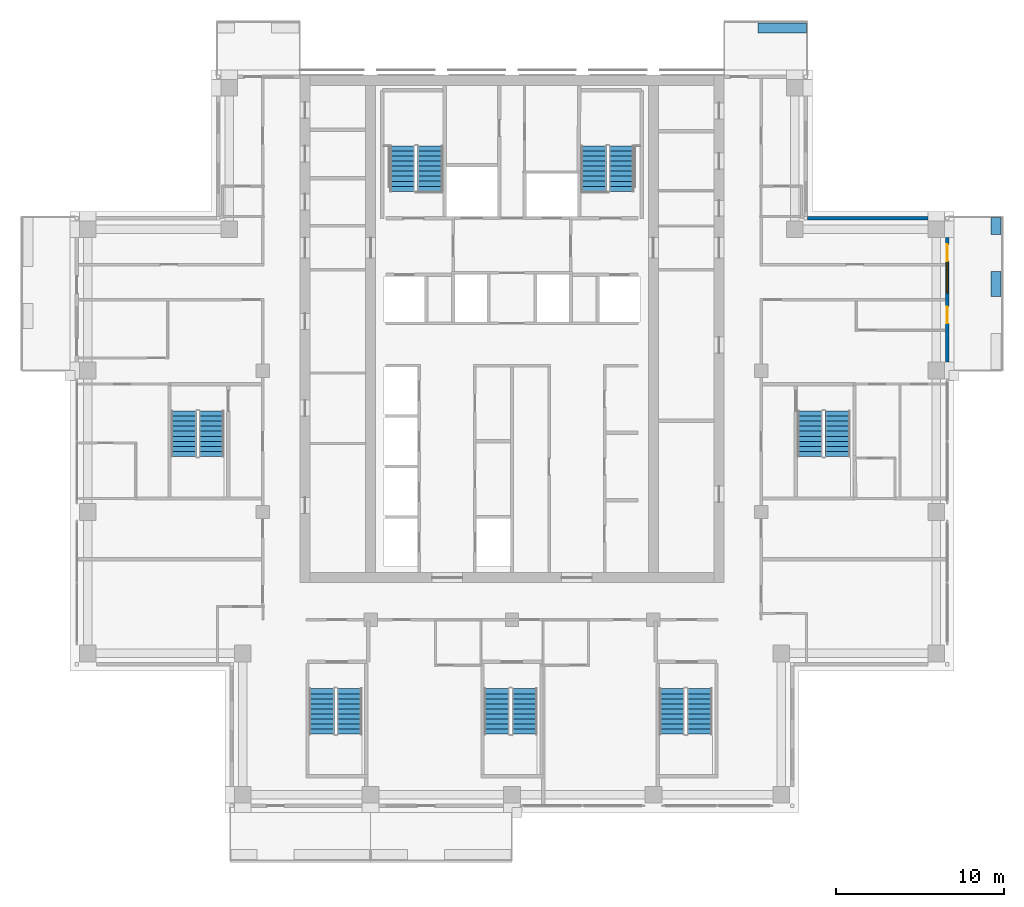
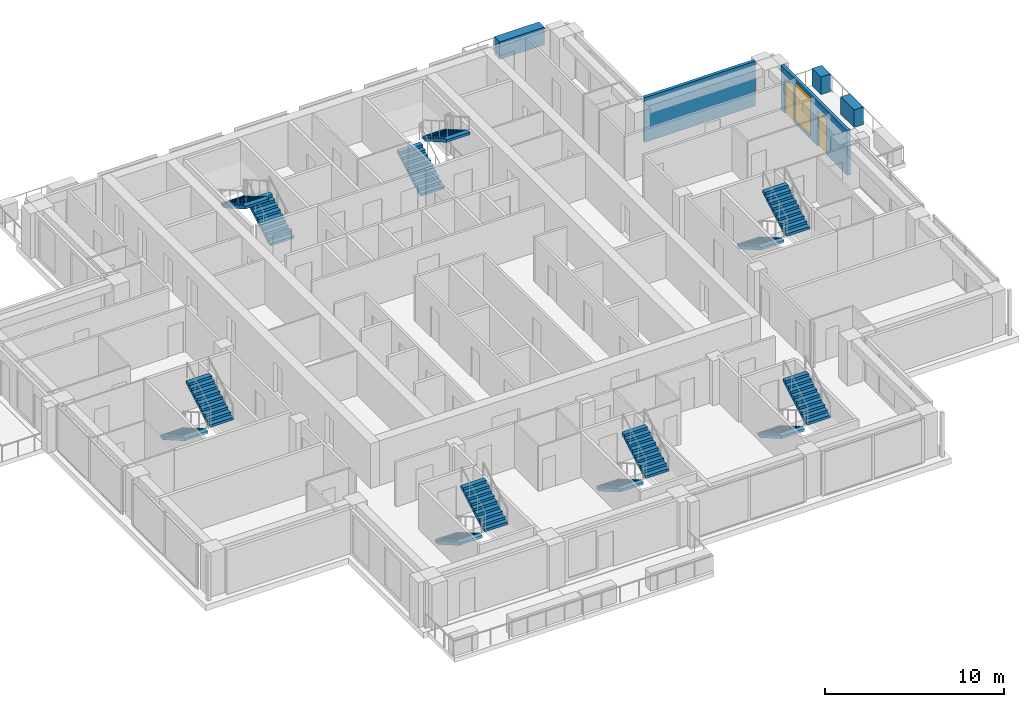
# One storey, part 12 of 15: 14 stair flights, 5 walls, 2 doors, 1 window, 3 openings, 7 elements without a shape of their own.
"""IFC4 building model written with IfcOpenShell, lengths in metres."""

from ifc_helpers import new_model, si_unit, direction, frame, frame_2d, origin, place, context, subcontext, project, spatial, polyline, rectangle, outline, extrude, material, layer, layer_set, type_object, element, fill, aggregate, save


model = new_model("IFC4")

# Units and contexts
model_context = context("Model", 3, precision=1e-05, world=origin(), true_north=direction((0.0, 1.0)))
body_context = subcontext(model_context, "Body", "Model", "MODEL_VIEW")
ifc_project = project(units=[si_unit("LENGTHUNIT", "METRE"), si_unit("AREAUNIT", "SQUARE_METRE"), si_unit("VOLUMEUNIT", "CUBIC_METRE"), si_unit("PLANEANGLEUNIT", "RADIAN"), si_unit("MASSUNIT", "GRAM", prefix="KILO")], contexts=[model_context])

# Site, building, storey
site_placement = place(None, origin())
site = spatial("IfcSite", under=ifc_project, at=site_placement, CompositionType="ELEMENT")
building_placement = place(site_placement, origin())
building = spatial("IfcBuilding", under=site, at=building_placement, Name="Vermilion Ogive Tower", CompositionType="ELEMENT")
storey_placement = place(building_placement, frame((0.0, 0.0, 210.050048828125)))
storey = spatial("IfcBuildingStorey", under=building, at=storey_placement, Name="L55", CompositionType="ELEMENT", Elevation=210.050048828125)

# Walls
ifc_material_1 = material(Name="Concrete B40", Category="concrete")
ifc_layer_1 = layer(ifc_material_1, 0.60009765625)
ifc_layer_set_1 = layer_set([ifc_layer_1], Name="Structural planter")
wall_type_1 = type_object("IfcWallType", Name="Structural planter", PredefinedType="USERDEFINED", material=ifc_layer_set_1)
wall_1_placement = place(storey_placement, frame((28.75, 8.60009765625, -0.0400390625), z_axis=(0.0, 0.0, 1.0), x_axis=(0.0, 1.0, 0.0)))
element("IfcWall", 1, at=wall_1_placement, inside=storey, type_object=wall_type_1, Name="Planter E03A2", ObjectType="PLANTER", PredefinedType="USERDEFINED", context=body_context, shape_type="SweptSolid", body=[
    extrude(rectangle(XDim=1.5, YDim=0.60009765625, at=frame_2d((0.75, 0.0))), origin(), (0.0, 0.0, 1.0), 1.199951171875),
])
wall_2_placement = place(storey_placement, frame((28.75, 12.300048828125, -0.0400390625), z_axis=(0.0, 0.0, 1.0), x_axis=(0.0, 1.0, 0.0)))
element("IfcWall", 2, at=wall_2_placement, inside=storey, type_object=wall_type_1, Name="Planter E03A3", ObjectType="PLANTER", PredefinedType="USERDEFINED", context=body_context, shape_type="SweptSolid", body=[
    extrude(rectangle(XDim=0.989990234375, YDim=0.60009765625, at=frame_2d((0.4951171875, 0.0))), origin(), (0.0, 0.0, 1.0), 1.199951171875),
])
wall_3_placement = place(storey_placement, frame((17.489990234375, 24.550048828125, -0.0400390625), z_axis=(0.0, 0.0, 1.0), x_axis=(-1.0, 0.0, 0.0)))
element("IfcWall", 3, at=wall_3_placement, inside=storey, type_object=wall_type_1, Name="Planter N101A1", ObjectType="PLANTER", PredefinedType="USERDEFINED", context=body_context, shape_type="SweptSolid", body=[
    extrude(rectangle(XDim=2.889892578125, YDim=0.60009765625, at=frame_2d((1.44482421875, 0.0))), origin(), (0.0, 0.0, 1.0), 1.199951171875),
])

# Wall, openings, doors, window
ifc_material_2 = material(Name="Aluminium window wall framing", Category="aluminium")
ifc_layer_2 = layer(ifc_material_2, 0.199951171875)
ifc_layer_set_2 = layer_set([ifc_layer_2], Name="Window wall")
wall_type_2 = type_object("IfcWallType", Name="Window wall", PredefinedType="STANDARD", material=ifc_layer_set_2)
wall_4_placement = place(storey_placement, frame((25.85009765625, 4.699951171875, 0.0), z_axis=(0.0, 0.0, 1.0), x_axis=(0.0, 1.0, 0.0)))
wall_4 = element("IfcWall", 4, at=wall_4_placement, inside=storey, type_object=wall_type_2, Name="Window wall E3", PredefinedType="STANDARD", context=body_context, shape_type="SweptSolid", body=[
    extrude(rectangle(XDim=7.400146484375, YDim=0.199951171875, at=frame_2d((3.7001953125, 0.0))), origin(), (0.0, 0.0, 1.0), 3.050048828125),
])
opening_1_placement = place(wall_4_placement, frame((2.300048828125, 0.0, 0.0)))
opening_1 = element("IfcOpeningElement", 5, at=opening_1_placement, cuts=wall_4, Name="Opening D1-E01", PredefinedType="OPENING", context=body_context, shape_type="SweptSolid", body=[
    extrude(rectangle(XDim=1.0, YDim=2.39990234375, at=frame_2d((0.5, 1.199951171875))), frame((0.0, 0.10986328125, 0.0), z_axis=(0.0, -1.0, 0.0), x_axis=(1.0, 0.0, 0.0)), (0.0, 0.0, 1.0), 0.219970703125),
])
opening_2_placement = place(wall_4_placement, frame((4.10009765625, 0.0, 0.199951171875)))
opening_2 = element("IfcOpeningElement", 6, at=opening_2_placement, cuts=wall_4, Name="Opening W1-E02", PredefinedType="OPENING", context=body_context, shape_type="SweptSolid", body=[
    extrude(rectangle(XDim=1.800048828125, YDim=2.64990234375, at=frame_2d((0.89990234375, 1.324951171875))), frame((0.0, 0.10986328125, 0.0), z_axis=(0.0, -1.0, 0.0), x_axis=(1.0, 0.0, 0.0)), (0.0, 0.0, 1.0), 0.219970703125),
])
opening_3_placement = place(wall_4_placement, frame((6.0, 0.0, 0.0)))
opening_3 = element("IfcOpeningElement", 7, at=opening_3_placement, cuts=wall_4, Name="Opening D1-E02", PredefinedType="OPENING", context=body_context, shape_type="SweptSolid", body=[
    extrude(rectangle(XDim=1.0, YDim=2.39990234375, at=frame_2d((0.5, 1.199951171875))), frame((0.0, 0.10986328125, 0.0), z_axis=(0.0, -1.0, 0.0), x_axis=(1.0, 0.0, 0.0)), (0.0, 0.0, 1.0), 0.219970703125),
])
ifc_material_3 = material(Name="Aluminium framed glazed door", Category="aluminium")
door_type = type_object("IfcDoorType", Name="Balcony door D1", OperationType="SINGLE_SWING_LEFT", PredefinedType="DOOR", material=ifc_material_3)
door_1_placement = place(opening_1_placement, origin())
door_1 = element("IfcDoor", 8, at=door_1_placement, inside=storey, type_object=door_type, Name="Balcony door E01", OperationType="SINGLE_SWING_LEFT", OverallHeight=2.39990234375, OverallWidth=1.0, PredefinedType="DOOR", context=body_context, shape_type="SweptSolid", body=[
    extrude(rectangle(XDim=1.0, YDim=2.39990234375, at=frame_2d((0.5, 1.199951171875))), frame((0.0, 0.02490234375, 0.0), z_axis=(0.0, -1.0, 0.0), x_axis=(1.0, 0.0, 0.0)), (0.0, 0.0, 1.0), 0.050048828125),
])
fill(opening_1, door_1)
door_2_placement = place(opening_3_placement, origin())
door_2 = element("IfcDoor", 9, at=door_2_placement, inside=storey, type_object=door_type, Name="Balcony door E02", OperationType="SINGLE_SWING_LEFT", OverallHeight=2.39990234375, OverallWidth=1.0, PredefinedType="DOOR", context=body_context, shape_type="SweptSolid", body=[
    extrude(rectangle(XDim=1.0, YDim=2.39990234375, at=frame_2d((0.5, 1.199951171875))), frame((0.0, 0.02490234375, 0.0), z_axis=(0.0, -1.0, 0.0), x_axis=(1.0, 0.0, 0.0)), (0.0, 0.0, 1.0), 0.050048828125),
])
fill(opening_3, door_2)
ifc_material_4 = material(Name="Aluminium framed double glazing", Category="aluminium")
window_type = type_object("IfcWindowType", Name="Guest window W1", PartitioningType="SINGLE_PANEL", PredefinedType="WINDOW", material=ifc_material_4)
window_placement = place(opening_2_placement, origin())
window = element("IfcWindow", 10, at=window_placement, inside=storey, type_object=window_type, Name="Window E02", OverallHeight=2.64990234375, OverallWidth=1.800048828125, PartitioningType="SINGLE_PANEL", PredefinedType="WINDOW", context=body_context, shape_type="SweptSolid", body=[
    extrude(rectangle(XDim=1.800048828125, YDim=2.64990234375, at=frame_2d((0.89990234375, 1.324951171875))), frame((0.0, 0.030029296875, 0.0), z_axis=(0.0, -1.0, 0.0), x_axis=(1.0, 0.0, 0.0)), (0.0, 0.0, 1.0), 0.06005859375),
])
fill(opening_2, window)

# Wall
wall_5_placement = place(storey_placement, frame((24.699951171875, 13.25, 0.0), z_axis=(0.0, 0.0, 1.0), x_axis=(-1.0, 0.0, 0.0)))
element("IfcWall", 11, at=wall_5_placement, inside=storey, type_object=wall_type_2, Name="Window wall X31", PredefinedType="STANDARD", context=body_context, shape_type="SweptSolid", body=[
    extrude(rectangle(XDim=7.14990234375, YDim=0.199951171875, at=frame_2d((3.574951171875, 0.0))), origin(), (0.0, 0.0, 1.0), 3.050048828125),
])

# Stair, stair flights
ifc_material_5 = material(Name="Concrete B40", Category="concrete")
stair_type = type_object("IfcStairType", Name="Exit stair 1500", PredefinedType="HALF_TURN_STAIR", material=ifc_material_5)
stair_1_placement = place(storey_placement, origin())
stair_1 = element("IfcStair", 12, at=stair_1_placement, inside=storey, type_object=stair_type, Name="L55 Exit Stair ST1", PredefinedType="HALF_TURN_STAIR")
ifc_material_6 = material(Name="Concrete B40", Category="concrete")
stair_flight_type = type_object("IfcStairFlightType", Name="Stair flight 1500", PredefinedType="STRAIGHT", material=ifc_material_6)
stair_flight_1_placement = place(storey_placement, frame((-4.85009765625, 14.85009765625, 0.0), z_axis=(0.0, 0.0, 1.0), x_axis=(0.0, 1.0, 0.0)))
stair_flight_1 = element("IfcStairFlight", 13, at=stair_flight_1_placement, type_object=stair_flight_type, Name="ST1 flight 1", NumberOfRisers=10, NumberOfTreads=9, PredefinedType="STRAIGHT", RiserHeight=0.1725, TreadLength=0.3, context=body_context, shape_type="SweptSolid", body=[
    extrude(outline(polyline([(0.0, 0.0), (0.0, 0.172607421875), (0.300048828125, 0.172607421875), (0.300048828125, 0.344970703125), (0.60009765625, 0.344970703125), (0.60009765625, 0.517578125), (0.89990234375, 0.517578125), (0.89990234375, 0.68994140625), (1.199951171875, 0.68994140625), (1.199951171875, 0.862548828125), (1.5, 0.862548828125), (1.5, 1.034912109375), (1.800048828125, 1.034912109375), (1.800048828125, 1.20751953125), (2.10009765625, 1.20751953125), (2.10009765625, 1.3798828125), (2.39990234375, 1.3798828125), (2.39990234375, 1.552490234375), (2.699951171875, 1.552490234375), (2.699951171875, 1.72509765625), (2.699951171875, 1.379638671875), (0.30078125, 0.0), (0.0, 0.0)])), frame((0.0, 0.75, 0.0), z_axis=(0.0, -1.0, 0.0), x_axis=(1.0, 0.0, 0.0)), (0.0, 0.0, 1.0), 1.5),
])
stair_flight_2_placement = place(storey_placement, frame((-6.5, 17.550048828125, 1.724853515625), z_axis=(0.0, 0.0, 1.0), x_axis=(0.0, -1.0, 0.0)))
stair_flight_2 = element("IfcStairFlight", 14, at=stair_flight_2_placement, type_object=stair_flight_type, Name="ST1 flight 2", NumberOfRisers=10, NumberOfTreads=9, PredefinedType="STRAIGHT", RiserHeight=0.1725, TreadLength=0.3, context=body_context, shape_type="SweptSolid", body=[
    extrude(outline(polyline([(0.0, 0.0), (0.0, 0.172607421875), (0.300048828125, 0.172607421875), (0.300048828125, 0.344970703125), (0.60009765625, 0.344970703125), (0.60009765625, 0.517578125), (0.89990234375, 0.517578125), (0.89990234375, 0.68994140625), (1.199951171875, 0.68994140625), (1.199951171875, 0.862548828125), (1.5, 0.862548828125), (1.5, 1.034912109375), (1.800048828125, 1.034912109375), (1.800048828125, 1.20751953125), (2.10009765625, 1.20751953125), (2.10009765625, 1.3798828125), (2.39990234375, 1.3798828125), (2.39990234375, 1.552490234375), (2.699951171875, 1.552490234375), (2.699951171875, 1.72509765625), (2.699951171875, 1.379638671875), (0.30078125, 0.0), (0.0, 0.0)])), frame((0.0, 0.75, 0.0), z_axis=(0.0, -1.0, 0.0), x_axis=(1.0, 0.0, 0.0)), (0.0, 0.0, 1.0), 1.5),
])
aggregate(stair_1, [stair_flight_1, stair_flight_2])

stair_2_placement = place(storey_placement, origin())
stair_2 = element("IfcStair", 15, at=stair_2_placement, inside=storey, type_object=stair_type, Name="L55 Exit Stair ST2", PredefinedType="HALF_TURN_STAIR")
stair_flight_3_placement = place(storey_placement, frame((4.85009765625, 14.85009765625, 0.0), z_axis=(0.0, 0.0, 1.0), x_axis=(0.0, 1.0, 0.0)))
stair_flight_3 = element("IfcStairFlight", 16, at=stair_flight_3_placement, type_object=stair_flight_type, Name="ST2 flight 1", NumberOfRisers=10, NumberOfTreads=9, PredefinedType="STRAIGHT", RiserHeight=0.1725, TreadLength=0.3, context=body_context, shape_type="SweptSolid", body=[
    extrude(outline(polyline([(0.0, 0.0), (0.0, 0.172607421875), (0.300048828125, 0.172607421875), (0.300048828125, 0.344970703125), (0.60009765625, 0.344970703125), (0.60009765625, 0.517578125), (0.89990234375, 0.517578125), (0.89990234375, 0.68994140625), (1.199951171875, 0.68994140625), (1.199951171875, 0.862548828125), (1.5, 0.862548828125), (1.5, 1.034912109375), (1.800048828125, 1.034912109375), (1.800048828125, 1.20751953125), (2.10009765625, 1.20751953125), (2.10009765625, 1.3798828125), (2.39990234375, 1.3798828125), (2.39990234375, 1.552490234375), (2.699951171875, 1.552490234375), (2.699951171875, 1.72509765625), (2.699951171875, 1.379638671875), (0.30078125, 0.0), (0.0, 0.0)])), frame((0.0, 0.75, 0.0), z_axis=(0.0, -1.0, 0.0), x_axis=(1.0, 0.0, 0.0)), (0.0, 0.0, 1.0), 1.5),
])
stair_flight_4_placement = place(storey_placement, frame((6.5, 17.550048828125, 1.724853515625), z_axis=(0.0, 0.0, 1.0), x_axis=(0.0, -1.0, 0.0)))
stair_flight_4 = element("IfcStairFlight", 17, at=stair_flight_4_placement, type_object=stair_flight_type, Name="ST2 flight 2", NumberOfRisers=10, NumberOfTreads=9, PredefinedType="STRAIGHT", RiserHeight=0.1725, TreadLength=0.3, context=body_context, shape_type="SweptSolid", body=[
    extrude(outline(polyline([(0.0, 0.0), (0.0, 0.172607421875), (0.300048828125, 0.172607421875), (0.300048828125, 0.344970703125), (0.60009765625, 0.344970703125), (0.60009765625, 0.517578125), (0.89990234375, 0.517578125), (0.89990234375, 0.68994140625), (1.199951171875, 0.68994140625), (1.199951171875, 0.862548828125), (1.5, 0.862548828125), (1.5, 1.034912109375), (1.800048828125, 1.034912109375), (1.800048828125, 1.20751953125), (2.10009765625, 1.20751953125), (2.10009765625, 1.3798828125), (2.39990234375, 1.3798828125), (2.39990234375, 1.552490234375), (2.699951171875, 1.552490234375), (2.699951171875, 1.72509765625), (2.699951171875, 1.379638671875), (0.30078125, 0.0), (0.0, 0.0)])), frame((0.0, 0.75, 0.0), z_axis=(0.0, -1.0, 0.0), x_axis=(1.0, 0.0, 0.0)), (0.0, 0.0, 1.0), 1.5),
])
aggregate(stair_2, [stair_flight_3, stair_flight_4])

stair_3_placement = place(storey_placement, origin())
stair_3 = element("IfcStair", 18, at=stair_3_placement, inside=storey, type_object=stair_type, Name="L55 Exit Stair ST3", PredefinedType="HALF_TURN_STAIR")
stair_flight_5_placement = place(storey_placement, frame((-11.300048828125, -14.699951171875, 0.0), z_axis=(0.0, 0.0, 1.0), x_axis=(0.0, -1.0, 0.0)))
stair_flight_5 = element("IfcStairFlight", 19, at=stair_flight_5_placement, type_object=stair_flight_type, Name="ST3 flight 1", NumberOfRisers=10, NumberOfTreads=9, PredefinedType="STRAIGHT", RiserHeight=0.1725, TreadLength=0.3, context=body_context, shape_type="SweptSolid", body=[
    extrude(outline(polyline([(0.0, 0.0), (0.0, 0.172607421875), (0.300048828125, 0.172607421875), (0.300048828125, 0.344970703125), (0.60009765625, 0.344970703125), (0.60009765625, 0.517578125), (0.89990234375, 0.517578125), (0.89990234375, 0.68994140625), (1.199951171875, 0.68994140625), (1.199951171875, 0.862548828125), (1.5, 0.862548828125), (1.5, 1.034912109375), (1.800048828125, 1.034912109375), (1.800048828125, 1.20751953125), (2.10009765625, 1.20751953125), (2.10009765625, 1.3798828125), (2.39990234375, 1.3798828125), (2.39990234375, 1.552490234375), (2.699951171875, 1.552490234375), (2.699951171875, 1.72509765625), (2.699951171875, 1.379638671875), (0.30078125, 0.0), (0.0, 0.0)])), frame((0.0, 0.75, 0.0), z_axis=(0.0, -1.0, 0.0), x_axis=(1.0, 0.0, 0.0)), (0.0, 0.0, 1.0), 1.5),
])
stair_flight_6_placement = place(storey_placement, frame((-9.64990234375, -17.39990234375, 1.724853515625), z_axis=(0.0, 0.0, 1.0), x_axis=(0.0, 1.0, 0.0)))
stair_flight_6 = element("IfcStairFlight", 20, at=stair_flight_6_placement, type_object=stair_flight_type, Name="ST3 flight 2", NumberOfRisers=10, NumberOfTreads=9, PredefinedType="STRAIGHT", RiserHeight=0.1725, TreadLength=0.3, context=body_context, shape_type="SweptSolid", body=[
    extrude(outline(polyline([(0.0, 0.0), (0.0, 0.172607421875), (0.300048828125, 0.172607421875), (0.300048828125, 0.344970703125), (0.60009765625, 0.344970703125), (0.60009765625, 0.517578125), (0.89990234375, 0.517578125), (0.89990234375, 0.68994140625), (1.199951171875, 0.68994140625), (1.199951171875, 0.862548828125), (1.5, 0.862548828125), (1.5, 1.034912109375), (1.800048828125, 1.034912109375), (1.800048828125, 1.20751953125), (2.10009765625, 1.20751953125), (2.10009765625, 1.3798828125), (2.39990234375, 1.3798828125), (2.39990234375, 1.552490234375), (2.699951171875, 1.552490234375), (2.699951171875, 1.72509765625), (2.699951171875, 1.379638671875), (0.30078125, 0.0), (0.0, 0.0)])), frame((0.0, 0.75, 0.0), z_axis=(0.0, -1.0, 0.0), x_axis=(1.0, 0.0, 0.0)), (0.0, 0.0, 1.0), 1.5),
])
aggregate(stair_3, [stair_flight_5, stair_flight_6])

stair_4_placement = place(storey_placement, origin())
stair_4 = element("IfcStair", 21, at=stair_4_placement, inside=storey, type_object=stair_type, Name="L55 Exit Stair ST4", PredefinedType="HALF_TURN_STAIR")
stair_flight_7_placement = place(storey_placement, frame((-0.89990234375, -14.699951171875, 0.0), z_axis=(0.0, 0.0, 1.0), x_axis=(0.0, -1.0, 0.0)))
stair_flight_7 = element("IfcStairFlight", 22, at=stair_flight_7_placement, type_object=stair_flight_type, Name="ST4 flight 1", NumberOfRisers=10, NumberOfTreads=9, PredefinedType="STRAIGHT", RiserHeight=0.1725, TreadLength=0.3, context=body_context, shape_type="SweptSolid", body=[
    extrude(outline(polyline([(0.0, 0.0), (0.0, 0.172607421875), (0.300048828125, 0.172607421875), (0.300048828125, 0.344970703125), (0.60009765625, 0.344970703125), (0.60009765625, 0.517578125), (0.89990234375, 0.517578125), (0.89990234375, 0.68994140625), (1.199951171875, 0.68994140625), (1.199951171875, 0.862548828125), (1.5, 0.862548828125), (1.5, 1.034912109375), (1.800048828125, 1.034912109375), (1.800048828125, 1.20751953125), (2.10009765625, 1.20751953125), (2.10009765625, 1.3798828125), (2.39990234375, 1.3798828125), (2.39990234375, 1.552490234375), (2.699951171875, 1.552490234375), (2.699951171875, 1.72509765625), (2.699951171875, 1.379638671875), (0.30078125, 0.0), (0.0, 0.0)])), frame((0.0, 0.75, 0.0), z_axis=(0.0, -1.0, 0.0), x_axis=(1.0, 0.0, 0.0)), (0.0, 0.0, 1.0), 1.5),
])
stair_flight_8_placement = place(storey_placement, frame((0.75, -17.39990234375, 1.724853515625), z_axis=(0.0, 0.0, 1.0), x_axis=(0.0, 1.0, 0.0)))
stair_flight_8 = element("IfcStairFlight", 23, at=stair_flight_8_placement, type_object=stair_flight_type, Name="ST4 flight 2", NumberOfRisers=10, NumberOfTreads=9, PredefinedType="STRAIGHT", RiserHeight=0.1725, TreadLength=0.3, context=body_context, shape_type="SweptSolid", body=[
    extrude(outline(polyline([(0.0, 0.0), (0.0, 0.172607421875), (0.300048828125, 0.172607421875), (0.300048828125, 0.344970703125), (0.60009765625, 0.344970703125), (0.60009765625, 0.517578125), (0.89990234375, 0.517578125), (0.89990234375, 0.68994140625), (1.199951171875, 0.68994140625), (1.199951171875, 0.862548828125), (1.5, 0.862548828125), (1.5, 1.034912109375), (1.800048828125, 1.034912109375), (1.800048828125, 1.20751953125), (2.10009765625, 1.20751953125), (2.10009765625, 1.3798828125), (2.39990234375, 1.3798828125), (2.39990234375, 1.552490234375), (2.699951171875, 1.552490234375), (2.699951171875, 1.72509765625), (2.699951171875, 1.379638671875), (0.30078125, 0.0), (0.0, 0.0)])), frame((0.0, 0.75, 0.0), z_axis=(0.0, -1.0, 0.0), x_axis=(1.0, 0.0, 0.0)), (0.0, 0.0, 1.0), 1.5),
])
aggregate(stair_4, [stair_flight_7, stair_flight_8])

stair_5_placement = place(storey_placement, origin())
stair_5 = element("IfcStair", 24, at=stair_5_placement, inside=storey, type_object=stair_type, Name="L55 Exit Stair ST5", PredefinedType="HALF_TURN_STAIR")
stair_flight_9_placement = place(storey_placement, frame((9.5, -14.699951171875, 0.0), z_axis=(0.0, 0.0, 1.0), x_axis=(0.0, -1.0, 0.0)))
stair_flight_9 = element("IfcStairFlight", 25, at=stair_flight_9_placement, type_object=stair_flight_type, Name="ST5 flight 1", NumberOfRisers=10, NumberOfTreads=9, PredefinedType="STRAIGHT", RiserHeight=0.1725, TreadLength=0.3, context=body_context, shape_type="SweptSolid", body=[
    extrude(outline(polyline([(0.0, 0.0), (0.0, 0.172607421875), (0.300048828125, 0.172607421875), (0.300048828125, 0.344970703125), (0.60009765625, 0.344970703125), (0.60009765625, 0.517578125), (0.89990234375, 0.517578125), (0.89990234375, 0.68994140625), (1.199951171875, 0.68994140625), (1.199951171875, 0.862548828125), (1.5, 0.862548828125), (1.5, 1.034912109375), (1.800048828125, 1.034912109375), (1.800048828125, 1.20751953125), (2.10009765625, 1.20751953125), (2.10009765625, 1.3798828125), (2.39990234375, 1.3798828125), (2.39990234375, 1.552490234375), (2.699951171875, 1.552490234375), (2.699951171875, 1.72509765625), (2.699951171875, 1.379638671875), (0.30078125, 0.0), (0.0, 0.0)])), frame((0.0, 0.75, 0.0), z_axis=(0.0, -1.0, 0.0), x_axis=(1.0, 0.0, 0.0)), (0.0, 0.0, 1.0), 1.5),
])
stair_flight_10_placement = place(storey_placement, frame((11.14990234375, -17.39990234375, 1.724853515625), z_axis=(0.0, 0.0, 1.0), x_axis=(0.0, 1.0, 0.0)))
stair_flight_10 = element("IfcStairFlight", 26, at=stair_flight_10_placement, type_object=stair_flight_type, Name="ST5 flight 2", NumberOfRisers=10, NumberOfTreads=9, PredefinedType="STRAIGHT", RiserHeight=0.1725, TreadLength=0.3, context=body_context, shape_type="SweptSolid", body=[
    extrude(outline(polyline([(0.0, 0.0), (0.0, 0.172607421875), (0.300048828125, 0.172607421875), (0.300048828125, 0.344970703125), (0.60009765625, 0.344970703125), (0.60009765625, 0.517578125), (0.89990234375, 0.517578125), (0.89990234375, 0.68994140625), (1.199951171875, 0.68994140625), (1.199951171875, 0.862548828125), (1.5, 0.862548828125), (1.5, 1.034912109375), (1.800048828125, 1.034912109375), (1.800048828125, 1.20751953125), (2.10009765625, 1.20751953125), (2.10009765625, 1.3798828125), (2.39990234375, 1.3798828125), (2.39990234375, 1.552490234375), (2.699951171875, 1.552490234375), (2.699951171875, 1.72509765625), (2.699951171875, 1.379638671875), (0.30078125, 0.0), (0.0, 0.0)])), frame((0.0, 0.75, 0.0), z_axis=(0.0, -1.0, 0.0), x_axis=(1.0, 0.0, 0.0)), (0.0, 0.0, 1.0), 1.5),
])
aggregate(stair_5, [stair_flight_9, stair_flight_10])

stair_6_placement = place(storey_placement, origin())
stair_6 = element("IfcStair", 27, at=stair_6_placement, inside=storey, type_object=stair_type, Name="L55 Exit Stair ST8", PredefinedType="HALF_TURN_STAIR")
stair_flight_11_placement = place(storey_placement, frame((17.699951171875, 1.800048828125, 0.0), z_axis=(0.0, 0.0, 1.0), x_axis=(0.0, -1.0, 0.0)))
stair_flight_11 = element("IfcStairFlight", 28, at=stair_flight_11_placement, type_object=stair_flight_type, Name="ST8 flight 1", NumberOfRisers=10, NumberOfTreads=9, PredefinedType="STRAIGHT", RiserHeight=0.1725, TreadLength=0.3, context=body_context, shape_type="SweptSolid", body=[
    extrude(outline(polyline([(0.0, 0.0), (0.0, 0.172607421875), (0.300048828125, 0.172607421875), (0.300048828125, 0.344970703125), (0.60009765625, 0.344970703125), (0.60009765625, 0.517578125), (0.89990234375, 0.517578125), (0.89990234375, 0.68994140625), (1.199951171875, 0.68994140625), (1.199951171875, 0.862548828125), (1.5, 0.862548828125), (1.5, 1.034912109375), (1.800048828125, 1.034912109375), (1.800048828125, 1.20751953125), (2.10009765625, 1.20751953125), (2.10009765625, 1.3798828125), (2.39990234375, 1.3798828125), (2.39990234375, 1.552490234375), (2.699951171875, 1.552490234375), (2.699951171875, 1.72509765625), (2.699951171875, 1.379638671875), (0.30078125, 0.0), (0.0, 0.0)])), frame((0.0, 0.75, 0.0), z_axis=(0.0, -1.0, 0.0), x_axis=(1.0, 0.0, 0.0)), (0.0, 0.0, 1.0), 1.5),
])
stair_flight_12_placement = place(storey_placement, frame((19.35009765625, -0.89990234375, 1.724853515625), z_axis=(0.0, 0.0, 1.0), x_axis=(0.0, 1.0, 0.0)))
stair_flight_12 = element("IfcStairFlight", 29, at=stair_flight_12_placement, type_object=stair_flight_type, Name="ST8 flight 2", NumberOfRisers=10, NumberOfTreads=9, PredefinedType="STRAIGHT", RiserHeight=0.1725, TreadLength=0.3, context=body_context, shape_type="SweptSolid", body=[
    extrude(outline(polyline([(0.0, 0.0), (0.0, 0.172607421875), (0.300048828125, 0.172607421875), (0.300048828125, 0.344970703125), (0.60009765625, 0.344970703125), (0.60009765625, 0.517578125), (0.89990234375, 0.517578125), (0.89990234375, 0.68994140625), (1.199951171875, 0.68994140625), (1.199951171875, 0.862548828125), (1.5, 0.862548828125), (1.5, 1.034912109375), (1.800048828125, 1.034912109375), (1.800048828125, 1.20751953125), (2.10009765625, 1.20751953125), (2.10009765625, 1.3798828125), (2.39990234375, 1.3798828125), (2.39990234375, 1.552490234375), (2.699951171875, 1.552490234375), (2.699951171875, 1.72509765625), (2.699951171875, 1.379638671875), (0.30078125, 0.0), (0.0, 0.0)])), frame((0.0, 0.75, 0.0), z_axis=(0.0, -1.0, 0.0), x_axis=(1.0, 0.0, 0.0)), (0.0, 0.0, 1.0), 1.5),
])
aggregate(stair_6, [stair_flight_11, stair_flight_12])

stair_7_placement = place(storey_placement, origin())
stair_7 = element("IfcStair", 30, at=stair_7_placement, inside=storey, type_object=stair_type, Name="L55 Exit Stair ST9", PredefinedType="HALF_TURN_STAIR")
stair_flight_13_placement = place(storey_placement, frame((-19.5, 1.800048828125, 0.0), z_axis=(0.0, 0.0, 1.0), x_axis=(0.0, -1.0, 0.0)))
stair_flight_13 = element("IfcStairFlight", 31, at=stair_flight_13_placement, type_object=stair_flight_type, Name="ST9 flight 1", NumberOfRisers=10, NumberOfTreads=9, PredefinedType="STRAIGHT", RiserHeight=0.1725, TreadLength=0.3, context=body_context, shape_type="SweptSolid", body=[
    extrude(outline(polyline([(0.0, 0.0), (0.0, 0.172607421875), (0.300048828125, 0.172607421875), (0.300048828125, 0.344970703125), (0.60009765625, 0.344970703125), (0.60009765625, 0.517578125), (0.89990234375, 0.517578125), (0.89990234375, 0.68994140625), (1.199951171875, 0.68994140625), (1.199951171875, 0.862548828125), (1.5, 0.862548828125), (1.5, 1.034912109375), (1.800048828125, 1.034912109375), (1.800048828125, 1.20751953125), (2.10009765625, 1.20751953125), (2.10009765625, 1.3798828125), (2.39990234375, 1.3798828125), (2.39990234375, 1.552490234375), (2.699951171875, 1.552490234375), (2.699951171875, 1.72509765625), (2.699951171875, 1.379638671875), (0.30078125, 0.0), (0.0, 0.0)])), frame((0.0, 0.75, 0.0), z_axis=(0.0, -1.0, 0.0), x_axis=(1.0, 0.0, 0.0)), (0.0, 0.0, 1.0), 1.5),
])
stair_flight_14_placement = place(storey_placement, frame((-17.85009765625, -0.89990234375, 1.724853515625), z_axis=(0.0, 0.0, 1.0), x_axis=(0.0, 1.0, 0.0)))
stair_flight_14 = element("IfcStairFlight", 32, at=stair_flight_14_placement, type_object=stair_flight_type, Name="ST9 flight 2", NumberOfRisers=10, NumberOfTreads=9, PredefinedType="STRAIGHT", RiserHeight=0.1725, TreadLength=0.3, context=body_context, shape_type="SweptSolid", body=[
    extrude(outline(polyline([(0.0, 0.0), (0.0, 0.172607421875), (0.300048828125, 0.172607421875), (0.300048828125, 0.344970703125), (0.60009765625, 0.344970703125), (0.60009765625, 0.517578125), (0.89990234375, 0.517578125), (0.89990234375, 0.68994140625), (1.199951171875, 0.68994140625), (1.199951171875, 0.862548828125), (1.5, 0.862548828125), (1.5, 1.034912109375), (1.800048828125, 1.034912109375), (1.800048828125, 1.20751953125), (2.10009765625, 1.20751953125), (2.10009765625, 1.3798828125), (2.39990234375, 1.3798828125), (2.39990234375, 1.552490234375), (2.699951171875, 1.552490234375), (2.699951171875, 1.72509765625), (2.699951171875, 1.379638671875), (0.30078125, 0.0), (0.0, 0.0)])), frame((0.0, 0.75, 0.0), z_axis=(0.0, -1.0, 0.0), x_axis=(1.0, 0.0, 0.0)), (0.0, 0.0, 1.0), 1.5),
])
aggregate(stair_7, [stair_flight_13, stair_flight_14])

save(model, "model.ifc")
